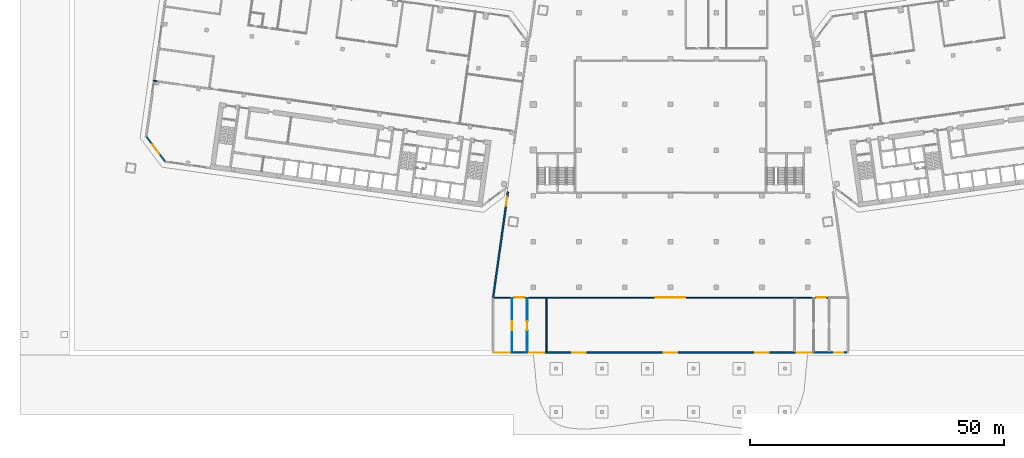
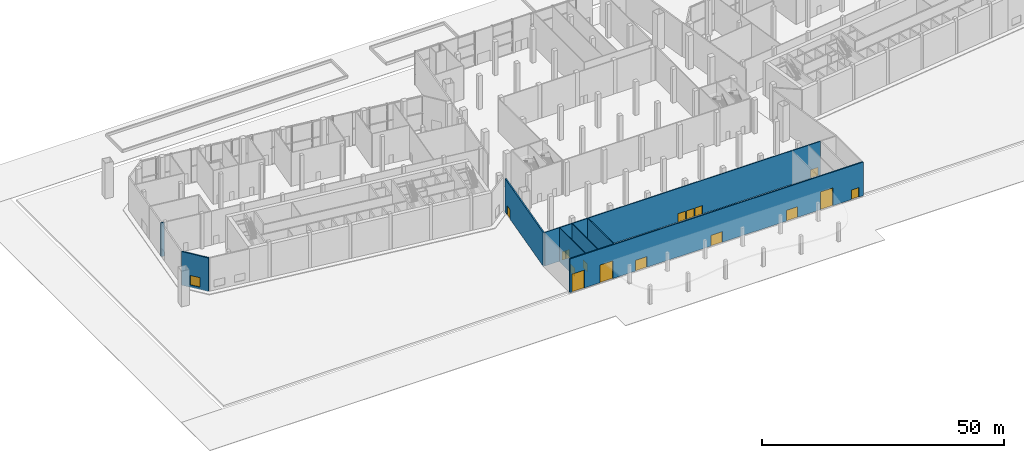
# One storey, part 17 of 34: 15 doors, 8 walls, 1 window, 16 openings.
"""IFC4 building model written with IfcOpenShell, lengths in metres."""

from ifc_helpers import new_model, si_unit, direction, frame, frame_2d, origin, place, context, subcontext, project, spatial, rectangle, extrude, material, layer, layer_set, type_object, element, fill, save


model = new_model("IFC4")

# Units and contexts
model_context = context("Model", 3, precision=1e-05, world=origin(), true_north=direction((0.0, 1.0)))
body_context = subcontext(model_context, "Body", "Model", "MODEL_VIEW")
ifc_project = project(units=[si_unit("LENGTHUNIT", "METRE"), si_unit("AREAUNIT", "SQUARE_METRE"), si_unit("VOLUMEUNIT", "CUBIC_METRE"), si_unit("PLANEANGLEUNIT", "RADIAN"), si_unit("MASSUNIT", "GRAM", prefix="KILO")], contexts=[model_context])

# Site, building, storey
site_placement = place(None, origin())
site = spatial("IfcSite", under=ifc_project, at=site_placement, CompositionType="ELEMENT")
building_placement = place(site_placement, origin())
building = spatial("IfcBuilding", under=site, at=building_placement, Name="Mirante Cascada Hotel Towers", CompositionType="ELEMENT")
storey_placement = place(building_placement, origin())
storey = spatial("IfcBuildingStorey", under=building, at=storey_placement, Name="L00", CompositionType="ELEMENT", Elevation=0.0)

# Wall, opening, door
ifc_material_1 = material(Name="Masonry block", Category="masonry")
ifc_layer_1 = layer(ifc_material_1, 0.15)
ifc_layer_set_1 = layer_set([ifc_layer_1], Name="Corridor wall 150 block")
wall_type_1 = type_object("IfcWallType", Name="Corridor wall 150 block", PredefinedType="PARTITIONING", material=ifc_layer_set_1)
wall_1_placement = place(storey_placement, frame((-28.2, -48.7, 0.0), z_axis=(0.0, 0.0, 1.0), x_axis=(0.0, 1.0, 0.0)))
wall_1 = element("IfcWall", 1, at=wall_1_placement, inside=storey, type_object=wall_type_1, Name="Corridor wall P L00", PredefinedType="PARTITIONING", context=body_context, shape_type="SweptSolid", body=[
    extrude(rectangle(XDim=10.6, YDim=0.15, at=frame_2d((5.3, 0.0))), origin(), (0.0, 0.0, 1.0), 8.5),
])
opening_1_placement = place(wall_1_placement, frame((4.25, 0.0, 0.0)))
opening_1 = element("IfcOpeningElement", 2, at=opening_1_placement, cuts=wall_1, Name="Opening DP-L00-12", PredefinedType="OPENING", context=body_context, shape_type="SweptSolid", body=[
    extrude(rectangle(XDim=1.8, YDim=2.1, at=frame_2d((0.9, 1.05))), frame((0.0, 0.075, 0.0), z_axis=(0.0, -1.0, 0.0), x_axis=(1.0, 0.0, 0.0)), (0.0, 0.0, 1.0), 0.15),
])
ifc_material_2 = material(Name="Timber door leaf", Category="wood")
door_type_1 = type_object("IfcDoorType", Name="Double door 1800x2100", OperationType="DOUBLE_DOOR_SINGLE_SWING", PredefinedType="DOOR", material=ifc_material_2)
door_1_placement = place(opening_1_placement, origin())
door_1 = element("IfcDoor", 3, at=door_1_placement, inside=storey, type_object=door_type_1, Name="Door DP-L00-12", OperationType="DOUBLE_DOOR_SINGLE_SWING", OverallHeight=2.1, OverallWidth=1.8, PredefinedType="DOOR", context=body_context, shape_type="SweptSolid", body=[
    extrude(rectangle(XDim=0.895, YDim=2.1, at=frame_2d((0.4475, 1.05))), frame((0.0, 0.025, 0.0), z_axis=(0.0, -1.0, 0.0), x_axis=(1.0, 0.0, 0.0)), (0.0, 0.0, 1.0), 0.05),
    extrude(rectangle(XDim=0.895, YDim=2.1, at=frame_2d((1.3525, 1.05))), frame((0.0, 0.025, 0.0), z_axis=(0.0, -1.0, 0.0), x_axis=(1.0, 0.0, 0.0)), (0.0, 0.0, 1.0), 0.05),
])
fill(opening_1, door_1)

wall_2_placement = place(storey_placement, frame((-31.2, -48.7, 0.0), z_axis=(0.0, 0.0, 1.0), x_axis=(0.0, 1.0, 0.0)))
wall_2 = element("IfcWall", 4, at=wall_2_placement, inside=storey, type_object=wall_type_1, Name="Corridor wall P L00", PredefinedType="PARTITIONING", context=body_context, shape_type="SweptSolid", body=[
    extrude(rectangle(XDim=10.6, YDim=0.15, at=frame_2d((5.3, 0.0))), origin(), (0.0, 0.0, 1.0), 8.5),
])
opening_2_placement = place(wall_2_placement, frame((4.25, 0.0, 0.0)))
opening_2 = element("IfcOpeningElement", 5, at=opening_2_placement, cuts=wall_2, Name="Opening DP-L00-11", PredefinedType="OPENING", context=body_context, shape_type="SweptSolid", body=[
    extrude(rectangle(XDim=1.8, YDim=2.1, at=frame_2d((0.9, 1.05))), frame((0.0, 0.075, 0.0), z_axis=(0.0, -1.0, 0.0), x_axis=(1.0, 0.0, 0.0)), (0.0, 0.0, 1.0), 0.15),
])
door_2_placement = place(opening_2_placement, origin())
door_2 = element("IfcDoor", 6, at=door_2_placement, inside=storey, type_object=door_type_1, Name="Door DP-L00-11", OperationType="DOUBLE_DOOR_SINGLE_SWING", OverallHeight=2.1, OverallWidth=1.8, PredefinedType="DOOR", context=body_context, shape_type="SweptSolid", body=[
    extrude(rectangle(XDim=0.895, YDim=2.1, at=frame_2d((0.4475, 1.05))), frame((0.0, 0.025, 0.0), z_axis=(0.0, -1.0, 0.0), x_axis=(1.0, 0.0, 0.0)), (0.0, 0.0, 1.0), 0.05),
    extrude(rectangle(XDim=0.895, YDim=2.1, at=frame_2d((1.3525, 1.05))), frame((0.0, 0.025, 0.0), z_axis=(0.0, -1.0, 0.0), x_axis=(1.0, 0.0, 0.0)), (0.0, 0.0, 1.0), 0.05),
])
fill(opening_2, door_2)

# Wall, openings, doors
ifc_material_3 = material(Name="Masonry block", Category="masonry")
ifc_layer_2 = layer(ifc_material_3, 0.2)
ifc_layer_set_2 = layer_set([ifc_layer_2], Name="Hall wall 200 block")
wall_type_2 = type_object("IfcWallType", Name="Hall wall 200 block", PredefinedType="PARTITIONING", material=ifc_layer_set_2)
wall_3_placement = place(storey_placement, frame((-34.7566, -38.0, 0.0), z_axis=(0.0, 0.0, 1.0), x_axis=(1.0, 0.0, 0.0)))
wall_3 = element("IfcWall", 7, at=wall_3_placement, inside=storey, type_object=wall_type_2, Name="Hall wall P L00", PredefinedType="PARTITIONING", context=body_context, shape_type="SweptSolid", body=[
    extrude(rectangle(XDim=65.8416, YDim=0.2, at=frame_2d((32.9208, 0.0))), origin(), (0.0, 0.0, 1.0), 8.5),
])
opening_3_placement = place(wall_3_placement, frame((33.8566, 0.0, 0.0)))
opening_3 = element("IfcOpeningElement", 8, at=opening_3_placement, cuts=wall_3, Name="Opening DP-L00-01", PredefinedType="OPENING", context=body_context, shape_type="SweptSolid", body=[
    extrude(rectangle(XDim=1.8, YDim=2.1, at=frame_2d((0.9, 1.05))), frame((0.0, 0.1, 0.0), z_axis=(0.0, -1.0, 0.0), x_axis=(1.0, 0.0, 0.0)), (0.0, 0.0, 1.0), 0.2),
])
opening_4_placement = place(wall_3_placement, frame((35.8566, 0.0, 0.0)))
opening_4 = element("IfcOpeningElement", 9, at=opening_4_placement, cuts=wall_3, Name="Opening DP-L00-02", PredefinedType="OPENING", context=body_context, shape_type="SweptSolid", body=[
    extrude(rectangle(XDim=1.8, YDim=2.1, at=frame_2d((0.9, 1.05))), frame((0.0, 0.1, 0.0), z_axis=(0.0, -1.0, 0.0), x_axis=(1.0, 0.0, 0.0)), (0.0, 0.0, 1.0), 0.2),
])
opening_5_placement = place(wall_3_placement, frame((31.8566, 0.0, 0.0)))
opening_5 = element("IfcOpeningElement", 10, at=opening_5_placement, cuts=wall_3, Name="Opening DP-L00-03", PredefinedType="OPENING", context=body_context, shape_type="SweptSolid", body=[
    extrude(rectangle(XDim=1.8, YDim=2.1, at=frame_2d((0.9, 1.05))), frame((0.0, 0.1, 0.0), z_axis=(0.0, -1.0, 0.0), x_axis=(1.0, 0.0, 0.0)), (0.0, 0.0, 1.0), 0.2),
])
opening_6_placement = place(wall_3_placement, frame((4.1566, 0.0, 0.0)))
opening_6 = element("IfcOpeningElement", 11, at=opening_6_placement, cuts=wall_3, Name="Opening DP-L00-10", PredefinedType="OPENING", context=body_context, shape_type="SweptSolid", body=[
    extrude(rectangle(XDim=1.8, YDim=2.1, at=frame_2d((0.9, 1.05))), frame((0.0, 0.1, 0.0), z_axis=(0.0, -1.0, 0.0), x_axis=(1.0, 0.0, 0.0)), (0.0, 0.0, 1.0), 0.2),
])
opening_7_placement = place(wall_3_placement, frame((63.4991, 0.0, 0.0)))
opening_7 = element("IfcOpeningElement", 12, at=opening_7_placement, cuts=wall_3, Name="Opening DP-L00-13", PredefinedType="OPENING", context=body_context, shape_type="SweptSolid", body=[
    extrude(rectangle(XDim=1.8, YDim=2.1, at=frame_2d((0.9, 1.05))), frame((0.0, 0.1, 0.0), z_axis=(0.0, -1.0, 0.0), x_axis=(1.0, 0.0, 0.0)), (0.0, 0.0, 1.0), 0.2),
])
door_3_placement = place(opening_3_placement, origin())
door_3 = element("IfcDoor", 13, at=door_3_placement, inside=storey, type_object=door_type_1, Name="Door DP-L00-01", OperationType="DOUBLE_DOOR_SINGLE_SWING", OverallHeight=2.1, OverallWidth=1.8, PredefinedType="DOOR", context=body_context, shape_type="SweptSolid", body=[
    extrude(rectangle(XDim=0.895, YDim=2.1, at=frame_2d((0.4475, 1.05))), frame((0.0, 0.025, 0.0), z_axis=(0.0, -1.0, 0.0), x_axis=(1.0, 0.0, 0.0)), (0.0, 0.0, 1.0), 0.05),
    extrude(rectangle(XDim=0.895, YDim=2.1, at=frame_2d((1.3525, 1.05))), frame((0.0, 0.025, 0.0), z_axis=(0.0, -1.0, 0.0), x_axis=(1.0, 0.0, 0.0)), (0.0, 0.0, 1.0), 0.05),
])
fill(opening_3, door_3)
door_4_placement = place(opening_4_placement, origin())
door_4 = element("IfcDoor", 14, at=door_4_placement, inside=storey, type_object=door_type_1, Name="Door DP-L00-02", OperationType="DOUBLE_DOOR_SINGLE_SWING", OverallHeight=2.1, OverallWidth=1.8, PredefinedType="DOOR", context=body_context, shape_type="SweptSolid", body=[
    extrude(rectangle(XDim=0.895, YDim=2.1, at=frame_2d((0.4475, 1.05))), frame((0.0, 0.025, 0.0), z_axis=(0.0, -1.0, 0.0), x_axis=(1.0, 0.0, 0.0)), (0.0, 0.0, 1.0), 0.05),
    extrude(rectangle(XDim=0.895, YDim=2.1, at=frame_2d((1.3525, 1.05))), frame((0.0, 0.025, 0.0), z_axis=(0.0, -1.0, 0.0), x_axis=(1.0, 0.0, 0.0)), (0.0, 0.0, 1.0), 0.05),
])
fill(opening_4, door_4)
door_5_placement = place(opening_5_placement, origin())
door_5 = element("IfcDoor", 15, at=door_5_placement, inside=storey, type_object=door_type_1, Name="Door DP-L00-03", OperationType="DOUBLE_DOOR_SINGLE_SWING", OverallHeight=2.1, OverallWidth=1.8, PredefinedType="DOOR", context=body_context, shape_type="SweptSolid", body=[
    extrude(rectangle(XDim=0.895, YDim=2.1, at=frame_2d((0.4475, 1.05))), frame((0.0, 0.025, 0.0), z_axis=(0.0, -1.0, 0.0), x_axis=(1.0, 0.0, 0.0)), (0.0, 0.0, 1.0), 0.05),
    extrude(rectangle(XDim=0.895, YDim=2.1, at=frame_2d((1.3525, 1.05))), frame((0.0, 0.025, 0.0), z_axis=(0.0, -1.0, 0.0), x_axis=(1.0, 0.0, 0.0)), (0.0, 0.0, 1.0), 0.05),
])
fill(opening_5, door_5)
door_6_placement = place(opening_6_placement, origin())
door_6 = element("IfcDoor", 16, at=door_6_placement, inside=storey, type_object=door_type_1, Name="Door DP-L00-10", OperationType="DOUBLE_DOOR_SINGLE_SWING", OverallHeight=2.1, OverallWidth=1.8, PredefinedType="DOOR", context=body_context, shape_type="SweptSolid", body=[
    extrude(rectangle(XDim=0.895, YDim=2.1, at=frame_2d((0.4475, 1.05))), frame((0.0, 0.025, 0.0), z_axis=(0.0, -1.0, 0.0), x_axis=(1.0, 0.0, 0.0)), (0.0, 0.0, 1.0), 0.05),
    extrude(rectangle(XDim=0.895, YDim=2.1, at=frame_2d((1.3525, 1.05))), frame((0.0, 0.025, 0.0), z_axis=(0.0, -1.0, 0.0), x_axis=(1.0, 0.0, 0.0)), (0.0, 0.0, 1.0), 0.05),
])
fill(opening_6, door_6)
door_7_placement = place(opening_7_placement, origin())
door_7 = element("IfcDoor", 17, at=door_7_placement, inside=storey, type_object=door_type_1, Name="Door DP-L00-13", OperationType="DOUBLE_DOOR_SINGLE_SWING", OverallHeight=2.1, OverallWidth=1.8, PredefinedType="DOOR", context=body_context, shape_type="SweptSolid", body=[
    extrude(rectangle(XDim=0.895, YDim=2.1, at=frame_2d((0.4475, 1.05))), frame((0.0, 0.025, 0.0), z_axis=(0.0, -1.0, 0.0), x_axis=(1.0, 0.0, 0.0)), (0.0, 0.0, 1.0), 0.05),
    extrude(rectangle(XDim=0.895, YDim=2.1, at=frame_2d((1.3525, 1.05))), frame((0.0, 0.025, 0.0), z_axis=(0.0, -1.0, 0.0), x_axis=(1.0, 0.0, 0.0)), (0.0, 0.0, 1.0), 0.05),
])
fill(opening_7, door_7)

# Walls
wall_4_placement = place(storey_placement, frame((-24.4, -48.7, 0.0), z_axis=(0.0, 0.0, 1.0), x_axis=(0.0, 1.0, 0.0)))
element("IfcWall", 18, at=wall_4_placement, inside=storey, type_object=wall_type_2, Name="Hall wall P L00", PredefinedType="PARTITIONING", context=body_context, shape_type="SweptSolid", body=[
    extrude(rectangle(XDim=10.6, YDim=0.2, at=frame_2d((5.3, 0.0))), origin(), (0.0, 0.0, 1.0), 8.5),
])
ifc_material_4 = material(Name="Masonry block", Category="masonry")
ifc_layer_3 = layer(ifc_material_4, 0.25)
ifc_layer_set_3 = layer_set([ifc_layer_3], Name="Plant room wall 250 block EI 120")
wall_type_3 = type_object("IfcWallType", Name="Plant room wall 250 block EI 120", PredefinedType="PARTITIONING", material=ifc_layer_set_3)
wall_5_placement = place(storey_placement, frame((-101.7725, 4.6536, 0.0), z_axis=(0.0, 0.0, 1.0), x_axis=(0.9902566, -0.1392548, 0.0)))
element("IfcWall", 19, at=wall_5_placement, inside=storey, type_object=wall_type_3, Name="Plant room wall T1 L00", PredefinedType="PARTITIONING", context=body_context, shape_type="SweptSolid", body=[
    extrude(rectangle(XDim=0.7756, YDim=0.25, at=frame_2d((0.3878, 0.0))), origin(), (0.0, 0.0, 1.0), 8.5),
])

# Wall, opening, window
ifc_material_5 = material(Name="Precast concrete C40/50", Category="concrete")
ifc_layer_4 = layer(ifc_material_5, 0.3)
ifc_layer_set_4 = layer_set([ifc_layer_4], Name="Precast concrete C40/50 cladding wall 300")
wall_type_4 = type_object("IfcWallType", Name="Precast concrete C40/50 cladding wall 300", PredefinedType="STANDARD", material=ifc_layer_set_4)
wall_6_placement = place(storey_placement, frame((-99.4423, -11.2315, 0.0), z_axis=(0.0, 0.0, 1.0), x_axis=(-0.6018141, 0.7986362, 0.0)))
wall_6 = element("IfcWall", 20, at=wall_6_placement, inside=storey, type_object=wall_type_4, Name="Corner cladding wall T1 L00 rear outer", PredefinedType="STANDARD", context=body_context, shape_type="SweptSolid", body=[
    extrude(rectangle(XDim=6.1157, YDim=0.3, at=frame_2d((3.0578, 0.0))), origin(), (0.0, 0.0, 1.0), 8.5),
])
opening_8_placement = place(wall_6_placement, frame((1.9578, 0.0, 0.6)))
opening_8 = element("IfcOpeningElement", 21, at=opening_8_placement, cuts=wall_6, Name="Opening W1-00-03", PredefinedType="OPENING", context=body_context, shape_type="SweptSolid", body=[
    extrude(rectangle(XDim=2.2, YDim=2.4, at=frame_2d((1.1, 1.2))), frame((0.0, 0.15, 0.0), z_axis=(0.0, -1.0, 0.0), x_axis=(1.0, 0.0, 0.0)), (0.0, 0.0, 1.0), 0.3),
])
ifc_material_6 = material(Name="Aluminium frame with clear double glazing", Category="aluminium")
window_type = type_object("IfcWindowType", Name="Corner suite window 2200x2400", PartitioningType="DOUBLE_PANEL_VERTICAL", PredefinedType="WINDOW", material=ifc_material_6)
window_placement = place(opening_8_placement, origin())
window = element("IfcWindow", 22, at=window_placement, inside=storey, type_object=window_type, Name="Window W1-00-03", OverallHeight=2.4, OverallWidth=2.2, PartitioningType="SINGLE_PANEL", PredefinedType="WINDOW", context=body_context, shape_type="SweptSolid", body=[
    extrude(rectangle(XDim=2.2, YDim=2.4, at=frame_2d((1.1, 1.2))), frame((0.0, 0.03, 0.0), z_axis=(0.0, -1.0, 0.0), x_axis=(1.0, 0.0, 0.0)), (0.0, 0.0, 1.0), 0.06),
])
fill(opening_8, window)

# Wall, opening, door
ifc_material_7 = material(Name="Precast concrete C40/50", Category="concrete")
ifc_layer_5 = layer(ifc_material_7, 0.3)
ifc_layer_set_5 = layer_set([ifc_layer_5], Name="Precast concrete C40/50 cladding wall 300 EI 60")
wall_type_5 = type_object("IfcWallType", Name="Precast concrete C40/50 cladding wall 300 EI 60", PredefinedType="STANDARD", material=ifc_layer_set_5)
wall_7_placement = place(storey_placement, frame((-31.9876, -17.2201, 0.0), z_axis=(0.0, 0.0, 1.0), x_axis=(-0.1391749, -0.9902678, 0.0)))
wall_7 = element("IfcWall", 23, at=wall_7_placement, inside=storey, type_object=wall_type_5, Name="Podium cladding wall L00 P:L00:6", PredefinedType="STANDARD", context=body_context, shape_type="SweptSolid", body=[
    extrude(rectangle(XDim=21.0052, YDim=0.3, at=frame_2d((10.5026, 0.0))), origin(), (0.0, 0.0, 1.0), 8.5),
])
opening_9_placement = place(wall_7_placement, frame((0.9185, 0.0, 0.0)))
opening_9 = element("IfcOpeningElement", 24, at=opening_9_placement, cuts=wall_7, Name="Opening DP-00-103", PredefinedType="OPENING", context=body_context, shape_type="SweptSolid", body=[
    extrude(rectangle(XDim=1.8, YDim=2.4, at=frame_2d((0.9, 1.2))), frame((0.0, 0.15, 0.0), z_axis=(0.0, -1.0, 0.0), x_axis=(1.0, 0.0, 0.0)), (0.0, 0.0, 1.0), 0.3),
])
ifc_material_8 = material(Name="Galvanised hollow metal fire door leaf")
door_type_2 = type_object("IfcDoorType", Name="Stair discharge door 1800x2400 FD60", OperationType="DOUBLE_DOOR_SINGLE_SWING", PredefinedType="DOOR", material=ifc_material_8)
door_8_placement = place(opening_9_placement, frame((1.8, 0.0, 0.0), z_axis=(0.0, 0.0, 1.0), x_axis=(-1.0, 0.0, 0.0)))
door_8 = element("IfcDoor", 25, at=door_8_placement, inside=storey, type_object=door_type_2, Name="Stair discharge podium west door DP-00-103", OperationType="DOUBLE_DOOR_SINGLE_SWING", OverallHeight=2.4, OverallWidth=1.8, PredefinedType="DOOR", context=body_context, shape_type="SweptSolid", body=[
    extrude(rectangle(XDim=0.895, YDim=2.4, at=frame_2d((0.4475, 1.2))), frame((0.0, 0.025, 0.0), z_axis=(0.0, -1.0, 0.0), x_axis=(1.0, 0.0, 0.0)), (0.0, 0.0, 1.0), 0.05),
    extrude(rectangle(XDim=0.895, YDim=2.4, at=frame_2d((1.3525, 1.2))), frame((0.0, 0.025, 0.0), z_axis=(0.0, -1.0, 0.0), x_axis=(1.0, 0.0, 0.0)), (0.0, 0.0, 1.0), 0.05),
])
fill(opening_9, door_8)

# Wall, openings, doors
wall_8_placement = place(storey_placement, frame((-35.0595, -48.85, 0.0), z_axis=(0.0, 0.0, 1.0), x_axis=(1.0, 0.0, 0.0)))
wall_8 = element("IfcWall", 26, at=wall_8_placement, inside=storey, type_object=wall_type_5, Name="Podium cladding wall L00 P:L00:8", PredefinedType="STANDARD", context=body_context, shape_type="SweptSolid", body=[
    extrude(rectangle(XDim=70.119, YDim=0.3, at=frame_2d((35.0595, 0.0))), origin(), (0.0, 0.0, 1.0), 8.5),
])
opening_10_placement = place(wall_8_placement, frame((15.7095, 0.0, 0.0)))
opening_10 = element("IfcOpeningElement", 27, at=opening_10_placement, cuts=wall_8, Name="Opening DP-00-104", PredefinedType="OPENING", context=body_context, shape_type="SweptSolid", body=[
    extrude(rectangle(XDim=2.7, YDim=2.7, at=frame_2d((1.35, 1.35))), frame((0.0, 0.15, 0.0), z_axis=(0.0, -1.0, 0.0), x_axis=(1.0, 0.0, 0.0)), (0.0, 0.0, 1.0), 0.3),
])
opening_11_placement = place(wall_8_placement, frame((33.7095, 0.0, 0.0)))
opening_11 = element("IfcOpeningElement", 28, at=opening_11_placement, cuts=wall_8, Name="Opening DP-00-105", PredefinedType="OPENING", context=body_context, shape_type="SweptSolid", body=[
    extrude(rectangle(XDim=2.7, YDim=2.7, at=frame_2d((1.35, 1.35))), frame((0.0, 0.15, 0.0), z_axis=(0.0, -1.0, 0.0), x_axis=(1.0, 0.0, 0.0)), (0.0, 0.0, 1.0), 0.3),
])
opening_12_placement = place(wall_8_placement, frame((51.7095, 0.0, 0.0)))
opening_12 = element("IfcOpeningElement", 29, at=opening_12_placement, cuts=wall_8, Name="Opening DP-00-106", PredefinedType="OPENING", context=body_context, shape_type="SweptSolid", body=[
    extrude(rectangle(XDim=2.7, YDim=2.7, at=frame_2d((1.35, 1.35))), frame((0.0, 0.15, 0.0), z_axis=(0.0, -1.0, 0.0), x_axis=(1.0, 0.0, 0.0)), (0.0, 0.0, 1.0), 0.3),
])
opening_13_placement = place(wall_8_placement, frame((0.4595, 0.0, 0.0)))
opening_13 = element("IfcOpeningElement", 30, at=opening_13_placement, cuts=wall_8, Name="Opening DP-00-107", PredefinedType="OPENING", context=body_context, shape_type="SweptSolid", body=[
    extrude(rectangle(XDim=3.0, YDim=4.5, at=frame_2d((1.5, 2.25))), frame((0.0, 0.15, 0.0), z_axis=(0.0, -1.0, 0.0), x_axis=(1.0, 0.0, 0.0)), (0.0, 0.0, 1.0), 0.3),
])
opening_14_placement = place(wall_8_placement, frame((7.2595, 0.0, 0.0)))
opening_14 = element("IfcOpeningElement", 31, at=opening_14_placement, cuts=wall_8, Name="Opening DP-00-108", PredefinedType="OPENING", context=body_context, shape_type="SweptSolid", body=[
    extrude(rectangle(XDim=3.0, YDim=4.5, at=frame_2d((1.5, 2.25))), frame((0.0, 0.15, 0.0), z_axis=(0.0, -1.0, 0.0), x_axis=(1.0, 0.0, 0.0)), (0.0, 0.0, 1.0), 0.3),
])
opening_15_placement = place(wall_8_placement, frame((59.8595, 0.0, 0.0)))
opening_15 = element("IfcOpeningElement", 32, at=opening_15_placement, cuts=wall_8, Name="Opening DP-00-109", PredefinedType="OPENING", context=body_context, shape_type="SweptSolid", body=[
    extrude(rectangle(XDim=3.0, YDim=4.5, at=frame_2d((1.5, 2.25))), frame((0.0, 0.15, 0.0), z_axis=(0.0, -1.0, 0.0), x_axis=(1.0, 0.0, 0.0)), (0.0, 0.0, 1.0), 0.3),
])
opening_16_placement = place(wall_8_placement, frame((67.2595, 0.0, 0.0)))
opening_16 = element("IfcOpeningElement", 33, at=opening_16_placement, cuts=wall_8, Name="Opening DP-00-110", PredefinedType="OPENING", context=body_context, shape_type="SweptSolid", body=[
    extrude(rectangle(XDim=1.8, YDim=2.4, at=frame_2d((0.9, 1.2))), frame((0.0, 0.15, 0.0), z_axis=(0.0, -1.0, 0.0), x_axis=(1.0, 0.0, 0.0)), (0.0, 0.0, 1.0), 0.3),
])
ifc_material_9 = material(Name="Aluminium frame with clear laminated glazing", Category="aluminium")
door_type_3 = type_object("IfcDoorType", Name="Entrance double door 2700x2700", OperationType="DOUBLE_DOOR_SINGLE_SWING", PredefinedType="DOOR", material=ifc_material_9)
door_9_placement = place(opening_10_placement, frame((2.7, 0.0, 0.0), z_axis=(0.0, 0.0, 1.0), x_axis=(-1.0, 0.0, 0.0)))
door_9 = element("IfcDoor", 34, at=door_9_placement, inside=storey, type_object=door_type_3, Name="Arrival lobby door DP-00-104", OperationType="DOUBLE_DOOR_SINGLE_SWING", OverallHeight=2.7, OverallWidth=2.7, PredefinedType="DOOR", context=body_context, shape_type="SweptSolid", body=[
    extrude(rectangle(XDim=1.345, YDim=2.7, at=frame_2d((0.6725, 1.35))), frame((0.0, 0.025, 0.0), z_axis=(0.0, -1.0, 0.0), x_axis=(1.0, 0.0, 0.0)), (0.0, 0.0, 1.0), 0.05),
    extrude(rectangle(XDim=1.345, YDim=2.7, at=frame_2d((2.0275, 1.35))), frame((0.0, 0.025, 0.0), z_axis=(0.0, -1.0, 0.0), x_axis=(1.0, 0.0, 0.0)), (0.0, 0.0, 1.0), 0.05),
])
fill(opening_10, door_9)
door_10_placement = place(opening_11_placement, frame((2.7, 0.0, 0.0), z_axis=(0.0, 0.0, 1.0), x_axis=(-1.0, 0.0, 0.0)))
door_10 = element("IfcDoor", 35, at=door_10_placement, inside=storey, type_object=door_type_3, Name="Arrival lobby door DP-00-105", OperationType="DOUBLE_DOOR_SINGLE_SWING", OverallHeight=2.7, OverallWidth=2.7, PredefinedType="DOOR", context=body_context, shape_type="SweptSolid", body=[
    extrude(rectangle(XDim=1.345, YDim=2.7, at=frame_2d((0.6725, 1.35))), frame((0.0, 0.025, 0.0), z_axis=(0.0, -1.0, 0.0), x_axis=(1.0, 0.0, 0.0)), (0.0, 0.0, 1.0), 0.05),
    extrude(rectangle(XDim=1.345, YDim=2.7, at=frame_2d((2.0275, 1.35))), frame((0.0, 0.025, 0.0), z_axis=(0.0, -1.0, 0.0), x_axis=(1.0, 0.0, 0.0)), (0.0, 0.0, 1.0), 0.05),
])
fill(opening_11, door_10)
door_11_placement = place(opening_12_placement, frame((2.7, 0.0, 0.0), z_axis=(0.0, 0.0, 1.0), x_axis=(-1.0, 0.0, 0.0)))
door_11 = element("IfcDoor", 36, at=door_11_placement, inside=storey, type_object=door_type_3, Name="Arrival lobby door DP-00-106", OperationType="DOUBLE_DOOR_SINGLE_SWING", OverallHeight=2.7, OverallWidth=2.7, PredefinedType="DOOR", context=body_context, shape_type="SweptSolid", body=[
    extrude(rectangle(XDim=1.345, YDim=2.7, at=frame_2d((0.6725, 1.35))), frame((0.0, 0.025, 0.0), z_axis=(0.0, -1.0, 0.0), x_axis=(1.0, 0.0, 0.0)), (0.0, 0.0, 1.0), 0.05),
    extrude(rectangle(XDim=1.345, YDim=2.7, at=frame_2d((2.0275, 1.35))), frame((0.0, 0.025, 0.0), z_axis=(0.0, -1.0, 0.0), x_axis=(1.0, 0.0, 0.0)), (0.0, 0.0, 1.0), 0.05),
])
fill(opening_12, door_11)
ifc_material_10 = material(Name="Galvanised roller shutter slats")
door_type_4 = type_object("IfcDoorType", Name="Loading bay roller door 3000x4500", OperationType="ROLLINGUP", PredefinedType="GATE", material=ifc_material_10)
door_12_placement = place(opening_13_placement, frame((3.0, 0.0, 0.0), z_axis=(0.0, 0.0, 1.0), x_axis=(-1.0, 0.0, 0.0)))
door_12 = element("IfcDoor", 37, at=door_12_placement, inside=storey, type_object=door_type_4, Name="Loading bay 1 door DP-00-107", OperationType="ROLLINGUP", OverallHeight=4.5, OverallWidth=3.0, PredefinedType="GATE", context=body_context, shape_type="SweptSolid", body=[
    extrude(rectangle(XDim=3.0, YDim=4.5, at=frame_2d((1.5, 2.25))), frame((0.0, 0.025, 0.0), z_axis=(0.0, -1.0, 0.0), x_axis=(1.0, 0.0, 0.0)), (0.0, 0.0, 1.0), 0.05),
])
fill(opening_13, door_12)
door_13_placement = place(opening_14_placement, frame((3.0, 0.0, 0.0), z_axis=(0.0, 0.0, 1.0), x_axis=(-1.0, 0.0, 0.0)))
door_13 = element("IfcDoor", 38, at=door_13_placement, inside=storey, type_object=door_type_4, Name="Loading bay 2 door DP-00-108", OperationType="ROLLINGUP", OverallHeight=4.5, OverallWidth=3.0, PredefinedType="GATE", context=body_context, shape_type="SweptSolid", body=[
    extrude(rectangle(XDim=3.0, YDim=4.5, at=frame_2d((1.5, 2.25))), frame((0.0, 0.025, 0.0), z_axis=(0.0, -1.0, 0.0), x_axis=(1.0, 0.0, 0.0)), (0.0, 0.0, 1.0), 0.05),
])
fill(opening_14, door_13)
door_14_placement = place(opening_15_placement, frame((3.0, 0.0, 0.0), z_axis=(0.0, 0.0, 1.0), x_axis=(-1.0, 0.0, 0.0)))
door_14 = element("IfcDoor", 39, at=door_14_placement, inside=storey, type_object=door_type_4, Name="Loading bay 3 door DP-00-109", OperationType="ROLLINGUP", OverallHeight=4.5, OverallWidth=3.0, PredefinedType="GATE", context=body_context, shape_type="SweptSolid", body=[
    extrude(rectangle(XDim=3.0, YDim=4.5, at=frame_2d((1.5, 2.25))), frame((0.0, 0.025, 0.0), z_axis=(0.0, -1.0, 0.0), x_axis=(1.0, 0.0, 0.0)), (0.0, 0.0, 1.0), 0.05),
])
fill(opening_15, door_14)
ifc_material_11 = material(Name="Galvanised hollow metal fire door leaf")
door_type_5 = type_object("IfcDoorType", Name="Service door 1800x2400 FD60", OperationType="DOUBLE_DOOR_SINGLE_SWING", PredefinedType="DOOR", material=ifc_material_11)
door_15_placement = place(opening_16_placement, frame((1.8, 0.0, 0.0), z_axis=(0.0, 0.0, 1.0), x_axis=(-1.0, 0.0, 0.0)))
door_15 = element("IfcDoor", 40, at=door_15_placement, inside=storey, type_object=door_type_5, Name="Refuse room door DP-00-110", OperationType="DOUBLE_DOOR_SINGLE_SWING", OverallHeight=2.4, OverallWidth=1.8, PredefinedType="DOOR", context=body_context, shape_type="SweptSolid", body=[
    extrude(rectangle(XDim=0.895, YDim=2.4, at=frame_2d((0.4475, 1.2))), frame((0.0, 0.025, 0.0), z_axis=(0.0, -1.0, 0.0), x_axis=(1.0, 0.0, 0.0)), (0.0, 0.0, 1.0), 0.05),
    extrude(rectangle(XDim=0.895, YDim=2.4, at=frame_2d((1.3525, 1.2))), frame((0.0, 0.025, 0.0), z_axis=(0.0, -1.0, 0.0), x_axis=(1.0, 0.0, 0.0)), (0.0, 0.0, 1.0), 0.05),
])
fill(opening_16, door_15)

save(model, "model.ifc")
